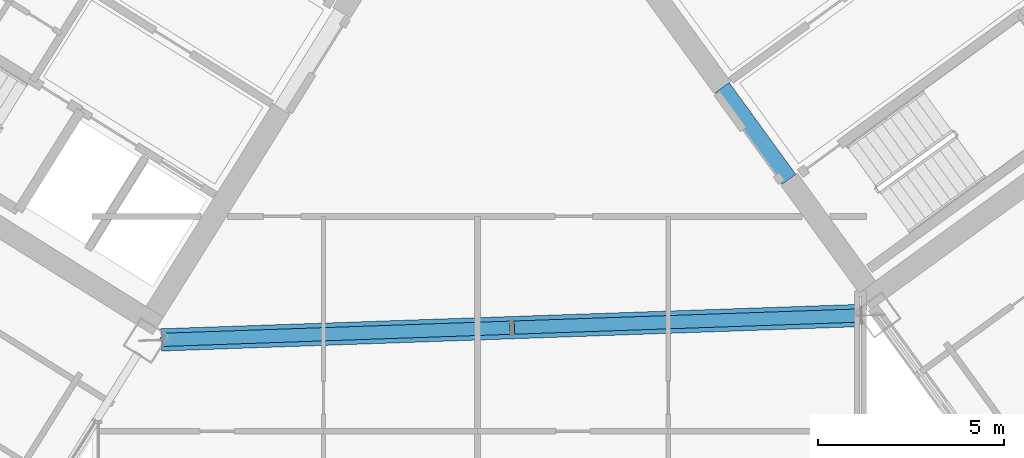
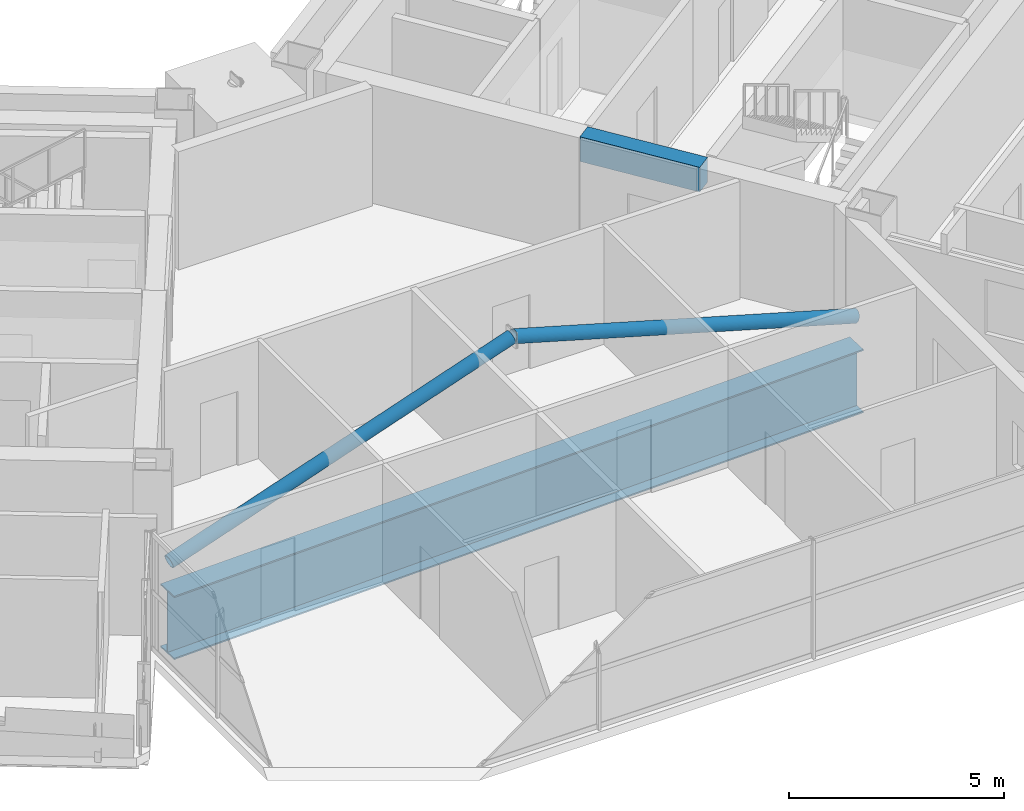
# One storey, part 9 of 29: 2 beams, 2 members.
"""IFC4 building model written with IfcOpenShell, lengths in metres."""

from ifc_helpers import new_model, si_unit, direction, frame, origin, origin_2d, place, context, subcontext, project, spatial, rectangle, hollow_circle, i_section, extrude, source, transform, mapped, material, material_profile, profile_set, type_object, element, save


model = new_model("IFC4")

# Units and contexts
model_context = context("Model", 3, precision=1e-05, world=origin(), true_north=direction((0.0, 1.0)))
body_context = subcontext(model_context, "Body", "Model", "MODEL_VIEW")
ifc_project = project(units=[si_unit("LENGTHUNIT", "METRE"), si_unit("AREAUNIT", "SQUARE_METRE"), si_unit("VOLUMEUNIT", "CUBIC_METRE"), si_unit("PLANEANGLEUNIT", "RADIAN"), si_unit("MASSUNIT", "GRAM", prefix="KILO")], contexts=[model_context])

# Site, building, storey
site_placement = place(None, origin())
site = spatial("IfcSite", under=ifc_project, at=site_placement, CompositionType="ELEMENT")
building_placement = place(site_placement, origin())
building = spatial("IfcBuilding", under=site, at=building_placement, Name="Tlacorven Tower", CompositionType="ELEMENT")
storey_placement = place(building_placement, frame((0.0, 0.0, 151.5)))
storey = spatial("IfcBuildingStorey", under=building, at=storey_placement, Name="L38", CompositionType="ELEMENT", Elevation=151.5)

# Beams
ifc_material_1 = material(Name="Concrete C60/75", Category="concrete")
ifc_material_profile_1 = material_profile(ifc_material_1, rectangle(XDim=0.449951171875, YDim=0.699951171875, at=origin_2d()), Name="RC 450X700")
ifc_profile_set_1 = profile_set([ifc_material_profile_1], Name="Concrete C60/75")
beam_type_1 = type_object("IfcBeamType", Name="BM-LNT-700", PredefinedType="LINTEL", material=ifc_profile_set_1)
shared_shape_1 = source(origin(), body_context, "Body", "SweptSolid", [
    extrude(rectangle(XDim=0.449951171875, YDim=0.699951171875, at=origin_2d()), origin(), (0.0, 0.0, 1.0), 3.050048828125),
])
beam_1_placement = place(storey_placement, frame((50.318359375, 16.416015625, 3.0), z_axis=(-0.587776590479, 0.80902328748, 0.0), x_axis=(-0.80902328748, -0.587776590479, 0.0)))
element("IfcBeam", 1, at=beam_1_placement, inside=storey, type_object=beam_type_1, Name="L38 E core coupling lintel beam E1", PredefinedType="LINTEL", context=body_context, shape_type="MappedRepresentation", body=[
    mapped(shared_shape_1, transform((0.0, 0.0, 0.0), scale=1.0)),
])
ifc_material_2 = material(Name="Steel S460M", Category="steel")
ifc_material_profile_2 = material_profile(ifc_material_2, i_section(OverallWidth=0.60009765625, OverallDepth=1.800048828125, WebThickness=0.028076171875, FlangeThickness=0.0400390625, at=origin_2d()), Name="PG 1800X600X28X40")
ifc_profile_set_2 = profile_set([ifc_material_profile_2], Name="Steel S460M")
beam_type_2 = type_object("IfcBeamType", Name="BM-TRG-1800", PredefinedType="USERDEFINED", material=ifc_profile_set_2)
shared_shape_2 = source(origin(), body_context, "Body", "SweptSolid", [
    extrude(i_section(OverallWidth=0.60009765625, OverallDepth=1.800048828125, WebThickness=0.028076171875, FlangeThickness=0.0400390625, at=origin_2d()), origin(), (0.0, 0.0, 1.0), 18.871337890625),
])
beam_2_placement = place(storey_placement, frame((33.44580078125, 12.100830078125, -1.14990234375), z_axis=(0.999390659804, 0.034904284792, 0.0), x_axis=(-0.034904284792, 0.999390659804, 0.0)))
element("IfcBeam", 2, at=beam_2_placement, inside=storey, type_object=beam_type_2, Name="L38 Knuckle Link Girder 2", ObjectType="TRANSFER GIRDER", PredefinedType="USERDEFINED", context=body_context, shape_type="MappedRepresentation", body=[
    mapped(shared_shape_2, transform((0.0, 0.0, 0.0), scale=1.0)),
])

# Members
ifc_material_profile_3 = material_profile(ifc_material_2, hollow_circle(Radius=0.177734375, WallThickness=0.01611328125, at=origin_2d()), Name="CHS 355.6X16")
ifc_profile_set_3 = profile_set([ifc_material_profile_3], Name="Steel S460M")
member_type = type_object("IfcMemberType", Name="MB-PRT-STR", PredefinedType="STRUT", material=ifc_profile_set_3)
shared_shape_3 = source(origin(), body_context, "Body", "SweptSolid", [
    extrude(hollow_circle(Radius=0.177734375, WallThickness=0.01611328125, at=origin_2d()), origin(), (0.0, 0.0, 1.0), 9.8095703125),
])
member_1_placement = place(storey_placement, frame((33.490234375, 12.102294921875, 0.537353515625), z_axis=(0.954823940557, 0.033349774022, 0.295294827439), x_axis=(-0.034906383056, 0.999390586519, 0.0)))
element("IfcMember", 3, at=member_1_placement, inside=storey, type_object=member_type, Name="L38 Void-Portal Transfer Strut West 2", PredefinedType="STRUT", context=body_context, shape_type="MappedRepresentation", body=[
    mapped(shared_shape_3, transform((0.0, 0.0, 0.0), scale=1.0)),
])
shared_shape_4 = source(origin(), body_context, "Body", "SweptSolid", [
    extrude(hollow_circle(Radius=0.177734375, WallThickness=0.01611328125, at=origin_2d()), origin(), (0.0, 0.0, 1.0), 9.809814453125),
])
member_2_placement = place(storey_placement, frame((52.261474609375, 12.7578125, 0.537353515625), z_axis=(-0.954826930538, -0.033324121878, 0.295288055331), x_axis=(0.034879457179, -0.999391526614, 0.0)))
element("IfcMember", 4, at=member_2_placement, inside=storey, type_object=member_type, Name="L38 Void-Portal Transfer Strut East 2", PredefinedType="STRUT", context=body_context, shape_type="MappedRepresentation", body=[
    mapped(shared_shape_4, transform((0.0, 0.0, 0.0), scale=1.0)),
])

save(model, "model.ifc")
